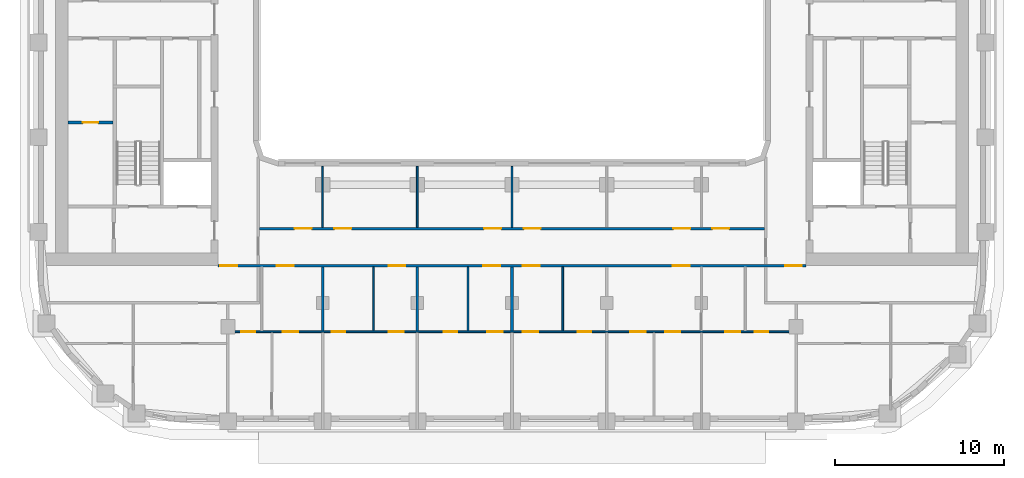
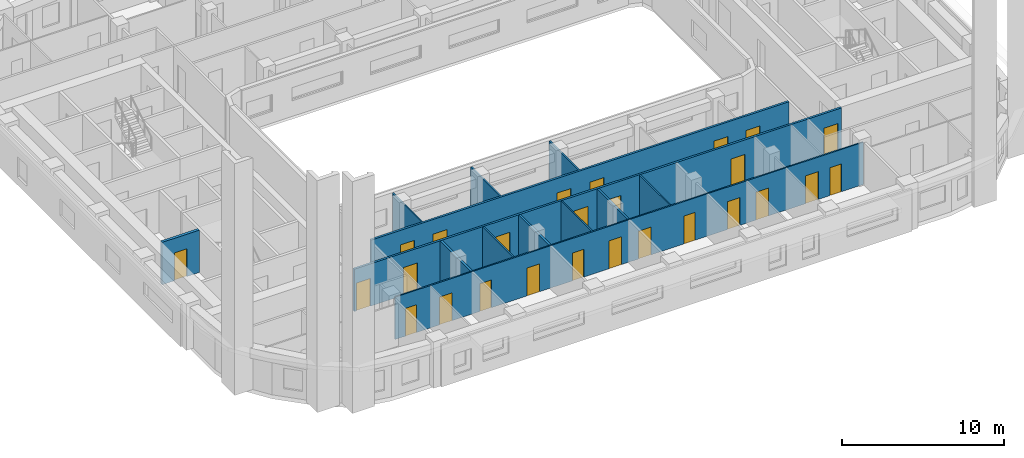
# One storey, part 3 of 22: 26 doors, 13 walls, 26 openings.
"""IFC4 building model written with IfcOpenShell, lengths in metres."""

from ifc_helpers import new_model, si_unit, direction, frame, frame_2d, origin, place, context, subcontext, project, spatial, rectangle, extrude, material, layer, layer_set, type_object, element, fill, save


model = new_model("IFC4")

# Units and contexts
model_context = context("Model", 3, precision=1e-05, world=origin(), true_north=direction((0.0, 1.0)))
body_context = subcontext(model_context, "Body", "Model", "MODEL_VIEW")
ifc_project = project(units=[si_unit("LENGTHUNIT", "METRE"), si_unit("AREAUNIT", "SQUARE_METRE"), si_unit("VOLUMEUNIT", "CUBIC_METRE"), si_unit("PLANEANGLEUNIT", "RADIAN"), si_unit("MASSUNIT", "GRAM", prefix="KILO")], contexts=[model_context])

# Site, building, storey
site_placement = place(None, origin())
site = spatial("IfcSite", under=ifc_project, at=site_placement, CompositionType="ELEMENT")
building_placement = place(site_placement, origin())
building = spatial("IfcBuilding", under=site, at=building_placement, Name="Kiln Ring Residences", CompositionType="ELEMENT")
storey_placement = place(building_placement, frame((0.0, 0.0, 160.60009765625)))
storey = spatial("IfcBuildingStorey", under=building, at=storey_placement, Name="L41", CompositionType="ELEMENT", Elevation=160.60009765625)

# Wall, opening, door
ifc_material_1 = material(Name="Gypsum board on steel studs", Category="steel")
ifc_layer_1 = layer(ifc_material_1, 0.199951171875)
ifc_layer_set_1 = layer_set([ifc_layer_1], Name="CORE-PARTITION-200")
wall_type_1 = type_object("IfcWallType", Name="CORE-PARTITION-200", PredefinedType="PARTITIONING", material=ifc_layer_set_1)
wall_1_placement = place(storey_placement, frame((-23.60009765625, -4.72509765625, 0.0), z_axis=(0.0, 0.0, 1.0), x_axis=(-1.0, 0.0, 0.0)))
wall_1 = element("IfcWall", 1, at=wall_1_placement, inside=storey, type_object=wall_type_1, Name="Core partition west L41 6", PredefinedType="PARTITIONING", context=body_context, shape_type="SweptSolid", body=[
    extrude(rectangle(XDim=2.64990234375, YDim=0.199951171875, at=frame_2d((1.324951171875, 0.0))), origin(), (0.0, 0.0, 1.0), 3.199951171875),
])
opening_1_placement = place(wall_1_placement, frame((0.875, 0.0, 0.0)))
opening_1 = element("IfcOpeningElement", 2, at=opening_1_placement, cuts=wall_1, Name="Opening L41-CW15", PredefinedType="OPENING", context=body_context, shape_type="SweptSolid", body=[
    extrude(rectangle(XDim=0.89990234375, YDim=2.10009765625, at=frame_2d((0.449951171875, 1.050048828125))), frame((0.0, 0.10986328125, 0.0), z_axis=(0.0, -1.0, 0.0), x_axis=(1.0, 0.0, 0.0)), (0.0, 0.0, 1.0), 0.219970703125),
])
ifc_material_2 = material(Name="Steel door leaf", Category="steel")
door_type_1 = type_object("IfcDoorType", Name="CORE-DOOR-ROOM", OperationType="SINGLE_SWING_LEFT", PredefinedType="DOOR", material=ifc_material_2)
door_1_placement = place(opening_1_placement, origin())
door_1 = element("IfcDoor", 3, at=door_1_placement, inside=storey, type_object=door_type_1, Name="Meter room L41-CW15", OperationType="SINGLE_SWING_RIGHT", OverallHeight=2.10009765625, OverallWidth=0.89990234375, PredefinedType="DOOR", context=body_context, shape_type="SweptSolid", body=[
    extrude(rectangle(XDim=0.89990234375, YDim=2.10009765625, at=frame_2d((0.449951171875, 1.050048828125))), frame((0.0, 0.02490234375, 0.0), z_axis=(0.0, -1.0, 0.0), x_axis=(1.0, 0.0, 0.0)), (0.0, 0.0, 1.0), 0.050048828125),
])
fill(opening_1, door_1)

# Wall, openings, doors
ifc_material_3 = material(Name="Gypsum board on steel studs", Category="steel")
ifc_layer_2 = layer(ifc_material_3, 0.10009765625)
ifc_layer_set_2 = layer_set([ifc_layer_2], Name="PARTITION-100")
wall_type_2 = type_object("IfcWallType", Name="PARTITION-100", PredefinedType="PARTITIONING", material=ifc_layer_set_2)
wall_2_placement = place(storey_placement, frame((-16.72509765625, -17.10009765625, 0.0), z_axis=(0.0, 0.0, 1.0), x_axis=(1.0, 0.0, 0.0)))
wall_2 = element("IfcWall", 4, at=wall_2_placement, inside=storey, type_object=wall_type_2, Name="Partition 002", PredefinedType="PARTITIONING", context=body_context, shape_type="SweptSolid", body=[
    extrude(rectangle(XDim=33.4501953125, YDim=0.10009765625, at=frame_2d((16.72509765625, 0.0))), origin(), (0.0, 0.0, 1.0), 3.199951171875),
])
opening_2_placement = place(wall_2_placement, frame((0.72509765625, 0.0, 0.0)))
opening_2 = element("IfcOpeningElement", 5, at=opening_2_placement, cuts=wall_2, Name="Opening L41-D048", PredefinedType="OPENING", context=body_context, shape_type="SweptSolid", body=[
    extrude(rectangle(XDim=0.800048828125, YDim=2.10009765625, at=frame_2d((0.39990234375, 1.050048828125))), frame((0.0, 0.06005859375, 0.0), z_axis=(0.0, -1.0, 0.0), x_axis=(1.0, 0.0, 0.0)), (0.0, 0.0, 1.0), 0.1201171875),
])
opening_3_placement = place(wall_2_placement, frame((3.175048828125, 0.0, 0.0)))
opening_3 = element("IfcOpeningElement", 6, at=opening_3_placement, cuts=wall_2, Name="Opening L41-D049", PredefinedType="OPENING", context=body_context, shape_type="SweptSolid", body=[
    extrude(rectangle(XDim=0.89990234375, YDim=2.10009765625, at=frame_2d((0.449951171875, 1.050048828125))), frame((0.0, 0.06005859375, 0.0), z_axis=(0.0, -1.0, 0.0), x_axis=(1.0, 0.0, 0.0)), (0.0, 0.0, 1.0), 0.1201171875),
])
opening_4_placement = place(wall_2_placement, frame((6.074951171875, 0.0, 0.0)))
opening_4 = element("IfcOpeningElement", 7, at=opening_4_placement, cuts=wall_2, Name="Opening L41-D052", PredefinedType="OPENING", context=body_context, shape_type="SweptSolid", body=[
    extrude(rectangle(XDim=0.800048828125, YDim=2.10009765625, at=frame_2d((0.39990234375, 1.050048828125))), frame((0.0, 0.06005859375, 0.0), z_axis=(0.0, -1.0, 0.0), x_axis=(1.0, 0.0, 0.0)), (0.0, 0.0, 1.0), 0.1201171875),
])
opening_5_placement = place(wall_2_placement, frame((9.425048828125, 0.0, 0.0)))
opening_5 = element("IfcOpeningElement", 8, at=opening_5_placement, cuts=wall_2, Name="Opening L41-D053", PredefinedType="OPENING", context=body_context, shape_type="SweptSolid", body=[
    extrude(rectangle(XDim=0.89990234375, YDim=2.10009765625, at=frame_2d((0.449951171875, 1.050048828125))), frame((0.0, 0.06005859375, 0.0), z_axis=(0.0, -1.0, 0.0), x_axis=(1.0, 0.0, 0.0)), (0.0, 0.0, 1.0), 0.1201171875),
])
opening_6_placement = place(wall_2_placement, frame((12.675048828125, 0.0, 0.0)))
opening_6 = element("IfcOpeningElement", 9, at=opening_6_placement, cuts=wall_2, Name="Opening L41-D055", PredefinedType="OPENING", context=body_context, shape_type="SweptSolid", body=[
    extrude(rectangle(XDim=0.800048828125, YDim=2.10009765625, at=frame_2d((0.39990234375, 1.050048828125))), frame((0.0, 0.06005859375, 0.0), z_axis=(0.0, -1.0, 0.0), x_axis=(1.0, 0.0, 0.0)), (0.0, 0.0, 1.0), 0.1201171875),
])
opening_7_placement = place(wall_2_placement, frame((15.27490234375, 0.0, 0.0)))
opening_7 = element("IfcOpeningElement", 10, at=opening_7_placement, cuts=wall_2, Name="Opening L41-D056", PredefinedType="OPENING", context=body_context, shape_type="SweptSolid", body=[
    extrude(rectangle(XDim=0.89990234375, YDim=2.10009765625, at=frame_2d((0.449951171875, 1.050048828125))), frame((0.0, 0.06005859375, 0.0), z_axis=(0.0, -1.0, 0.0), x_axis=(1.0, 0.0, 0.0)), (0.0, 0.0, 1.0), 0.1201171875),
])
opening_8_placement = place(wall_2_placement, frame((20.625, 0.0, 0.0)))
opening_8 = element("IfcOpeningElement", 11, at=opening_8_placement, cuts=wall_2, Name="Opening L41-D058", PredefinedType="OPENING", context=body_context, shape_type="SweptSolid", body=[
    extrude(rectangle(XDim=0.800048828125, YDim=2.10009765625, at=frame_2d((0.39990234375, 1.050048828125))), frame((0.0, 0.06005859375, 0.0), z_axis=(0.0, -1.0, 0.0), x_axis=(1.0, 0.0, 0.0)), (0.0, 0.0, 1.0), 0.1201171875),
])
opening_9_placement = place(wall_2_placement, frame((17.375, 0.0, 0.0)))
opening_9 = element("IfcOpeningElement", 12, at=opening_9_placement, cuts=wall_2, Name="Opening L41-D059", PredefinedType="OPENING", context=body_context, shape_type="SweptSolid", body=[
    extrude(rectangle(XDim=0.89990234375, YDim=2.10009765625, at=frame_2d((0.449951171875, 1.050048828125))), frame((0.0, 0.06005859375, 0.0), z_axis=(0.0, -1.0, 0.0), x_axis=(1.0, 0.0, 0.0)), (0.0, 0.0, 1.0), 0.1201171875),
])
opening_10_placement = place(wall_2_placement, frame((31.074951171875, 0.0, 0.0)))
opening_10 = element("IfcOpeningElement", 13, at=opening_10_placement, cuts=wall_2, Name="Opening L41-D062", PredefinedType="OPENING", context=body_context, shape_type="SweptSolid", body=[
    extrude(rectangle(XDim=0.800048828125, YDim=2.10009765625, at=frame_2d((0.39990234375, 1.050048828125))), frame((0.0, 0.06005859375, 0.0), z_axis=(0.0, -1.0, 0.0), x_axis=(1.0, 0.0, 0.0)), (0.0, 0.0, 1.0), 0.1201171875),
])
opening_11_placement = place(wall_2_placement, frame((29.324951171875, 0.0, 0.0)))
opening_11 = element("IfcOpeningElement", 14, at=opening_11_placement, cuts=wall_2, Name="Opening L41-D063", PredefinedType="OPENING", context=body_context, shape_type="SweptSolid", body=[
    extrude(rectangle(XDim=0.89990234375, YDim=2.10009765625, at=frame_2d((0.449951171875, 1.050048828125))), frame((0.0, 0.06005859375, 0.0), z_axis=(0.0, -1.0, 0.0), x_axis=(1.0, 0.0, 0.0)), (0.0, 0.0, 1.0), 0.1201171875),
])
opening_12_placement = place(wall_2_placement, frame((23.72509765625, 0.0, 0.0)))
opening_12 = element("IfcOpeningElement", 15, at=opening_12_placement, cuts=wall_2, Name="Opening L41-D064", PredefinedType="OPENING", context=body_context, shape_type="SweptSolid", body=[
    extrude(rectangle(XDim=0.89990234375, YDim=2.10009765625, at=frame_2d((0.449951171875, 1.050048828125))), frame((0.0, 0.06005859375, 0.0), z_axis=(0.0, -1.0, 0.0), x_axis=(1.0, 0.0, 0.0)), (0.0, 0.0, 1.0), 0.1201171875),
])
opening_13_placement = place(wall_2_placement, frame((25.77490234375, 0.0, 0.0)))
opening_13 = element("IfcOpeningElement", 16, at=opening_13_placement, cuts=wall_2, Name="Opening L41-D065", PredefinedType="OPENING", context=body_context, shape_type="SweptSolid", body=[
    extrude(rectangle(XDim=0.89990234375, YDim=2.10009765625, at=frame_2d((0.449951171875, 1.050048828125))), frame((0.0, 0.06005859375, 0.0), z_axis=(0.0, -1.0, 0.0), x_axis=(1.0, 0.0, 0.0)), (0.0, 0.0, 1.0), 0.1201171875),
])
ifc_material_4 = material(Name="Timber door leaf", Category="wood")
door_type_2 = type_object("IfcDoorType", Name="FLAT-DOOR-800-PL", OperationType="SINGLE_SWING_LEFT", PredefinedType="DOOR", material=ifc_material_4)
door_2_placement = place(opening_2_placement, origin())
door_2 = element("IfcDoor", 17, at=door_2_placement, inside=storey, type_object=door_type_2, Name="Door L41-D048", OperationType="SINGLE_SWING_LEFT", OverallHeight=2.10009765625, OverallWidth=0.800048828125, PredefinedType="DOOR", context=body_context, shape_type="SweptSolid", body=[
    extrude(rectangle(XDim=0.800048828125, YDim=2.10009765625, at=frame_2d((0.39990234375, 1.050048828125))), frame((0.0, 0.02490234375, 0.0), z_axis=(0.0, -1.0, 0.0), x_axis=(1.0, 0.0, 0.0)), (0.0, 0.0, 1.0), 0.050048828125),
])
fill(opening_2, door_2)
door_3_placement = place(opening_4_placement, origin())
door_3 = element("IfcDoor", 18, at=door_3_placement, inside=storey, type_object=door_type_2, Name="Door L41-D052", OperationType="SINGLE_SWING_RIGHT", OverallHeight=2.10009765625, OverallWidth=0.800048828125, PredefinedType="DOOR", context=body_context, shape_type="SweptSolid", body=[
    extrude(rectangle(XDim=0.800048828125, YDim=2.10009765625, at=frame_2d((0.39990234375, 1.050048828125))), frame((0.0, 0.02490234375, 0.0), z_axis=(0.0, -1.0, 0.0), x_axis=(1.0, 0.0, 0.0)), (0.0, 0.0, 1.0), 0.050048828125),
])
fill(opening_4, door_3)
door_4_placement = place(opening_6_placement, origin())
door_4 = element("IfcDoor", 19, at=door_4_placement, inside=storey, type_object=door_type_2, Name="Door L41-D055", OperationType="SINGLE_SWING_LEFT", OverallHeight=2.10009765625, OverallWidth=0.800048828125, PredefinedType="DOOR", context=body_context, shape_type="SweptSolid", body=[
    extrude(rectangle(XDim=0.800048828125, YDim=2.10009765625, at=frame_2d((0.39990234375, 1.050048828125))), frame((0.0, 0.02490234375, 0.0), z_axis=(0.0, -1.0, 0.0), x_axis=(1.0, 0.0, 0.0)), (0.0, 0.0, 1.0), 0.050048828125),
])
fill(opening_6, door_4)
door_5_placement = place(opening_8_placement, origin())
door_5 = element("IfcDoor", 20, at=door_5_placement, inside=storey, type_object=door_type_2, Name="Door L41-D058", OperationType="SINGLE_SWING_RIGHT", OverallHeight=2.10009765625, OverallWidth=0.800048828125, PredefinedType="DOOR", context=body_context, shape_type="SweptSolid", body=[
    extrude(rectangle(XDim=0.800048828125, YDim=2.10009765625, at=frame_2d((0.39990234375, 1.050048828125))), frame((0.0, 0.02490234375, 0.0), z_axis=(0.0, -1.0, 0.0), x_axis=(1.0, 0.0, 0.0)), (0.0, 0.0, 1.0), 0.050048828125),
])
fill(opening_8, door_5)
door_6_placement = place(opening_10_placement, origin())
door_6 = element("IfcDoor", 21, at=door_6_placement, inside=storey, type_object=door_type_2, Name="Door L41-D062", OperationType="SINGLE_SWING_RIGHT", OverallHeight=2.10009765625, OverallWidth=0.800048828125, PredefinedType="DOOR", context=body_context, shape_type="SweptSolid", body=[
    extrude(rectangle(XDim=0.800048828125, YDim=2.10009765625, at=frame_2d((0.39990234375, 1.050048828125))), frame((0.0, 0.02490234375, 0.0), z_axis=(0.0, -1.0, 0.0), x_axis=(1.0, 0.0, 0.0)), (0.0, 0.0, 1.0), 0.050048828125),
])
fill(opening_10, door_6)
ifc_material_5 = material(Name="Timber door leaf", Category="wood")
door_type_3 = type_object("IfcDoorType", Name="FLAT-DOOR-900-PL", OperationType="SINGLE_SWING_LEFT", PredefinedType="DOOR", material=ifc_material_5)
door_7_placement = place(opening_3_placement, origin())
door_7 = element("IfcDoor", 22, at=door_7_placement, inside=storey, type_object=door_type_3, Name="Door L41-D049", OperationType="SINGLE_SWING_LEFT", OverallHeight=2.10009765625, OverallWidth=0.89990234375, PredefinedType="DOOR", context=body_context, shape_type="SweptSolid", body=[
    extrude(rectangle(XDim=0.89990234375, YDim=2.10009765625, at=frame_2d((0.449951171875, 1.050048828125))), frame((0.0, 0.02490234375, 0.0), z_axis=(0.0, -1.0, 0.0), x_axis=(1.0, 0.0, 0.0)), (0.0, 0.0, 1.0), 0.050048828125),
])
fill(opening_3, door_7)
door_8_placement = place(opening_5_placement, origin())
door_8 = element("IfcDoor", 23, at=door_8_placement, inside=storey, type_object=door_type_3, Name="Door L41-D053", OperationType="SINGLE_SWING_LEFT", OverallHeight=2.10009765625, OverallWidth=0.89990234375, PredefinedType="DOOR", context=body_context, shape_type="SweptSolid", body=[
    extrude(rectangle(XDim=0.89990234375, YDim=2.10009765625, at=frame_2d((0.449951171875, 1.050048828125))), frame((0.0, 0.02490234375, 0.0), z_axis=(0.0, -1.0, 0.0), x_axis=(1.0, 0.0, 0.0)), (0.0, 0.0, 1.0), 0.050048828125),
])
fill(opening_5, door_8)
door_9_placement = place(opening_7_placement, origin())
door_9 = element("IfcDoor", 24, at=door_9_placement, inside=storey, type_object=door_type_3, Name="Door L41-D056", OperationType="SINGLE_SWING_RIGHT", OverallHeight=2.10009765625, OverallWidth=0.89990234375, PredefinedType="DOOR", context=body_context, shape_type="SweptSolid", body=[
    extrude(rectangle(XDim=0.89990234375, YDim=2.10009765625, at=frame_2d((0.449951171875, 1.050048828125))), frame((0.0, 0.02490234375, 0.0), z_axis=(0.0, -1.0, 0.0), x_axis=(1.0, 0.0, 0.0)), (0.0, 0.0, 1.0), 0.050048828125),
])
fill(opening_7, door_9)
door_10_placement = place(opening_9_placement, origin())
door_10 = element("IfcDoor", 25, at=door_10_placement, inside=storey, type_object=door_type_3, Name="Door L41-D059", OperationType="SINGLE_SWING_LEFT", OverallHeight=2.10009765625, OverallWidth=0.89990234375, PredefinedType="DOOR", context=body_context, shape_type="SweptSolid", body=[
    extrude(rectangle(XDim=0.89990234375, YDim=2.10009765625, at=frame_2d((0.449951171875, 1.050048828125))), frame((0.0, 0.02490234375, 0.0), z_axis=(0.0, -1.0, 0.0), x_axis=(1.0, 0.0, 0.0)), (0.0, 0.0, 1.0), 0.050048828125),
])
fill(opening_9, door_10)
door_11_placement = place(opening_11_placement, origin())
door_11 = element("IfcDoor", 26, at=door_11_placement, inside=storey, type_object=door_type_3, Name="Door L41-D063", OperationType="SINGLE_SWING_RIGHT", OverallHeight=2.10009765625, OverallWidth=0.89990234375, PredefinedType="DOOR", context=body_context, shape_type="SweptSolid", body=[
    extrude(rectangle(XDim=0.89990234375, YDim=2.10009765625, at=frame_2d((0.449951171875, 1.050048828125))), frame((0.0, 0.02490234375, 0.0), z_axis=(0.0, -1.0, 0.0), x_axis=(1.0, 0.0, 0.0)), (0.0, 0.0, 1.0), 0.050048828125),
])
fill(opening_11, door_11)
door_12_placement = place(opening_12_placement, origin())
door_12 = element("IfcDoor", 27, at=door_12_placement, inside=storey, type_object=door_type_3, Name="Door L41-D064", OperationType="SINGLE_SWING_RIGHT", OverallHeight=2.10009765625, OverallWidth=0.89990234375, PredefinedType="DOOR", context=body_context, shape_type="SweptSolid", body=[
    extrude(rectangle(XDim=0.89990234375, YDim=2.10009765625, at=frame_2d((0.449951171875, 1.050048828125))), frame((0.0, 0.02490234375, 0.0), z_axis=(0.0, -1.0, 0.0), x_axis=(1.0, 0.0, 0.0)), (0.0, 0.0, 1.0), 0.050048828125),
])
fill(opening_12, door_12)
door_13_placement = place(opening_13_placement, origin())
door_13 = element("IfcDoor", 28, at=door_13_placement, inside=storey, type_object=door_type_3, Name="Door L41-D065", OperationType="SINGLE_SWING_LEFT", OverallHeight=2.10009765625, OverallWidth=0.89990234375, PredefinedType="DOOR", context=body_context, shape_type="SweptSolid", body=[
    extrude(rectangle(XDim=0.89990234375, YDim=2.10009765625, at=frame_2d((0.449951171875, 1.050048828125))), frame((0.0, 0.02490234375, 0.0), z_axis=(0.0, -1.0, 0.0), x_axis=(1.0, 0.0, 0.0)), (0.0, 0.0, 1.0), 0.050048828125),
])
fill(opening_13, door_13)

# Walls
wall_3_placement = place(storey_placement, frame((-11.199951171875, -10.925048828125, 0.0), z_axis=(0.0, 0.0, 1.0), x_axis=(0.0, 1.0, 0.0)))
element("IfcWall", 29, at=wall_3_placement, inside=storey, type_object=wall_type_2, Name="Partition 026", PredefinedType="PARTITIONING", context=body_context, shape_type="SweptSolid", body=[
    extrude(rectangle(XDim=3.60498046875, YDim=0.10009765625, at=frame_2d((1.802490234375, 0.0))), origin(), (0.0, 0.0, 1.0), 3.199951171875),
])
wall_4_placement = place(storey_placement, frame((-8.199951171875, -17.050048828125, 0.0), z_axis=(0.0, 0.0, 1.0), x_axis=(0.0, 1.0, 0.0)))
element("IfcWall", 30, at=wall_4_placement, inside=storey, type_object=wall_type_2, Name="Partition 032", PredefinedType="PARTITIONING", context=body_context, shape_type="SweptSolid", body=[
    extrude(rectangle(XDim=3.775146484375, YDim=0.10009765625, at=frame_2d((1.8876953125, 0.0))), origin(), (0.0, 0.0, 1.0), 3.199951171875),
])
wall_5_placement = place(storey_placement, frame((-5.60009765625, -10.925048828125, 0.0), z_axis=(0.0, 0.0, 1.0), x_axis=(0.0, 1.0, 0.0)))
element("IfcWall", 31, at=wall_5_placement, inside=storey, type_object=wall_type_2, Name="Partition 033", PredefinedType="PARTITIONING", context=body_context, shape_type="SweptSolid", body=[
    extrude(rectangle(XDim=3.60498046875, YDim=0.10009765625, at=frame_2d((1.802490234375, 0.0))), origin(), (0.0, 0.0, 1.0), 3.199951171875),
])
wall_6_placement = place(storey_placement, frame((-2.60009765625, -17.050048828125, 0.0), z_axis=(0.0, 0.0, 1.0), x_axis=(0.0, 1.0, 0.0)))
element("IfcWall", 32, at=wall_6_placement, inside=storey, type_object=wall_type_2, Name="Partition 040", PredefinedType="PARTITIONING", context=body_context, shape_type="SweptSolid", body=[
    extrude(rectangle(XDim=3.775146484375, YDim=0.10009765625, at=frame_2d((1.8876953125, 0.0))), origin(), (0.0, 0.0, 1.0), 3.199951171875),
])
wall_7_placement = place(storey_placement, frame((0.0, -10.925048828125, 0.0), z_axis=(0.0, 0.0, 1.0), x_axis=(0.0, 1.0, 0.0)))
element("IfcWall", 33, at=wall_7_placement, inside=storey, type_object=wall_type_2, Name="Partition 041", PredefinedType="PARTITIONING", context=body_context, shape_type="SweptSolid", body=[
    extrude(rectangle(XDim=3.60498046875, YDim=0.10009765625, at=frame_2d((1.802490234375, 0.0))), origin(), (0.0, 0.0, 1.0), 3.199951171875),
])
wall_8_placement = place(storey_placement, frame((3.0, -17.050048828125, 0.0), z_axis=(0.0, 0.0, 1.0), x_axis=(0.0, 1.0, 0.0)))
element("IfcWall", 34, at=wall_8_placement, inside=storey, type_object=wall_type_2, Name="Partition 049", PredefinedType="PARTITIONING", context=body_context, shape_type="SweptSolid", body=[
    extrude(rectangle(XDim=3.775146484375, YDim=0.10009765625, at=frame_2d((1.8876953125, 0.0))), origin(), (0.0, 0.0, 1.0), 3.199951171875),
])

# Wall, openings, doors
ifc_material_6 = material(Name="Brick masonry partition", Category="masonry")
ifc_layer_3 = layer(ifc_material_6, 0.14990234375)
ifc_layer_set_3 = layer_set([ifc_layer_3], Name="PARTITION-150-ei60")
wall_type_3 = type_object("IfcWallType", Name="PARTITION-150-ei60", PredefinedType="PARTITIONING", material=ifc_layer_set_3)
wall_9_placement = place(storey_placement, frame((-17.39990234375, -13.199951171875, 0.0), z_axis=(0.0, 0.0, 1.0), x_axis=(1.0, 0.0, 0.0)))
wall_9 = element("IfcWall", 35, at=wall_9_placement, inside=storey, type_object=wall_type_3, Name="Partition 005", PredefinedType="PARTITIONING", context=body_context, shape_type="SweptSolid", body=[
    extrude(rectangle(XDim=34.7998046875, YDim=0.14990234375, at=frame_2d((17.39990234375, 0.0))), origin(), (0.0, 0.0, 1.0), 3.199951171875),
])
opening_14_placement = place(wall_9_placement, frame((0.14990234375, 0.0, 0.0)))
opening_14 = element("IfcOpeningElement", 36, at=opening_14_placement, cuts=wall_9, Name="Opening L41-D007", PredefinedType="OPENING", context=body_context, shape_type="SweptSolid", body=[
    extrude(rectangle(XDim=1.0, YDim=2.10009765625, at=frame_2d((0.5, 1.050048828125))), frame((0.0, 0.0849609375, 0.0), z_axis=(0.0, -1.0, 0.0), x_axis=(1.0, 0.0, 0.0)), (0.0, 0.0, 1.0), 0.169921875),
])
opening_15_placement = place(wall_9_placement, frame((33.550048828125, 0.0, 0.0)))
opening_15 = element("IfcOpeningElement", 37, at=opening_15_placement, cuts=wall_9, Name="Opening L41-D008", PredefinedType="OPENING", context=body_context, shape_type="SweptSolid", body=[
    extrude(rectangle(XDim=1.0, YDim=2.10009765625, at=frame_2d((0.5, 1.050048828125))), frame((0.0, 0.0849609375, 0.0), z_axis=(0.0, -1.0, 0.0), x_axis=(1.0, 0.0, 0.0)), (0.0, 0.0, 1.0), 0.169921875),
])
opening_16_placement = place(wall_9_placement, frame((3.5, 0.0, 0.0)))
opening_16 = element("IfcOpeningElement", 38, at=opening_16_placement, cuts=wall_9, Name="Opening L41-D047", PredefinedType="OPENING", context=body_context, shape_type="SweptSolid", body=[
    extrude(rectangle(XDim=1.0, YDim=2.10009765625, at=frame_2d((0.5, 1.050048828125))), frame((0.0, 0.0849609375, 0.0), z_axis=(0.0, -1.0, 0.0), x_axis=(1.0, 0.0, 0.0)), (0.0, 0.0, 1.0), 0.169921875),
])
opening_17_placement = place(wall_9_placement, frame((10.10009765625, 0.0, 0.0)))
opening_17 = element("IfcOpeningElement", 39, at=opening_17_placement, cuts=wall_9, Name="Opening L41-D051", PredefinedType="OPENING", context=body_context, shape_type="SweptSolid", body=[
    extrude(rectangle(XDim=1.0, YDim=2.10009765625, at=frame_2d((0.5, 1.050048828125))), frame((0.0, 0.0849609375, 0.0), z_axis=(0.0, -1.0, 0.0), x_axis=(1.0, 0.0, 0.0)), (0.0, 0.0, 1.0), 0.169921875),
])
opening_18_placement = place(wall_9_placement, frame((15.699951171875, 0.0, 0.0)))
opening_18 = element("IfcOpeningElement", 40, at=opening_18_placement, cuts=wall_9, Name="Opening L41-D054", PredefinedType="OPENING", context=body_context, shape_type="SweptSolid", body=[
    extrude(rectangle(XDim=1.0, YDim=2.10009765625, at=frame_2d((0.5, 1.050048828125))), frame((0.0, 0.0849609375, 0.0), z_axis=(0.0, -1.0, 0.0), x_axis=(1.0, 0.0, 0.0)), (0.0, 0.0, 1.0), 0.169921875),
])
opening_19_placement = place(wall_9_placement, frame((18.050048828125, 0.0, 0.0)))
opening_19 = element("IfcOpeningElement", 41, at=opening_19_placement, cuts=wall_9, Name="Opening L41-D057", PredefinedType="OPENING", context=body_context, shape_type="SweptSolid", body=[
    extrude(rectangle(XDim=1.0, YDim=2.10009765625, at=frame_2d((0.5, 1.050048828125))), frame((0.0, 0.0849609375, 0.0), z_axis=(0.0, -1.0, 0.0), x_axis=(1.0, 0.0, 0.0)), (0.0, 0.0, 1.0), 0.169921875),
])
opening_20_placement = place(wall_9_placement, frame((26.89990234375, 0.0, 0.0)))
opening_20 = element("IfcOpeningElement", 42, at=opening_20_placement, cuts=wall_9, Name="Opening L41-D060", PredefinedType="OPENING", context=body_context, shape_type="SweptSolid", body=[
    extrude(rectangle(XDim=1.0, YDim=2.10009765625, at=frame_2d((0.5, 1.050048828125))), frame((0.0, 0.0849609375, 0.0), z_axis=(0.0, -1.0, 0.0), x_axis=(1.0, 0.0, 0.0)), (0.0, 0.0, 1.0), 0.169921875),
])
ifc_material_7 = material(Name="Steel faced fire door leaf", Category="steel")
door_type_4 = type_object("IfcDoorType", Name="FLAT-DOOR-1000-FR", OperationType="SINGLE_SWING_LEFT", PredefinedType="DOOR", material=ifc_material_7)
door_14_placement = place(opening_14_placement, origin())
door_14 = element("IfcDoor", 43, at=door_14_placement, inside=storey, type_object=door_type_4, Name="Door L41-D007", OperationType="SINGLE_SWING_RIGHT", OverallHeight=2.10009765625, OverallWidth=1.0, PredefinedType="DOOR", context=body_context, shape_type="SweptSolid", body=[
    extrude(rectangle(XDim=1.0, YDim=2.10009765625, at=frame_2d((0.5, 1.050048828125))), frame((0.0, 0.02490234375, 0.0), z_axis=(0.0, -1.0, 0.0), x_axis=(1.0, 0.0, 0.0)), (0.0, 0.0, 1.0), 0.050048828125),
])
fill(opening_14, door_14)
door_15_placement = place(opening_15_placement, origin())
door_15 = element("IfcDoor", 44, at=door_15_placement, inside=storey, type_object=door_type_4, Name="Door L41-D008", OperationType="SINGLE_SWING_LEFT", OverallHeight=2.10009765625, OverallWidth=1.0, PredefinedType="DOOR", context=body_context, shape_type="SweptSolid", body=[
    extrude(rectangle(XDim=1.0, YDim=2.10009765625, at=frame_2d((0.5, 1.050048828125))), frame((0.0, 0.02490234375, 0.0), z_axis=(0.0, -1.0, 0.0), x_axis=(1.0, 0.0, 0.0)), (0.0, 0.0, 1.0), 0.050048828125),
])
fill(opening_15, door_15)
door_16_placement = place(opening_16_placement, origin())
door_16 = element("IfcDoor", 45, at=door_16_placement, inside=storey, type_object=door_type_4, Name="Door L41-D047", OperationType="SINGLE_SWING_LEFT", OverallHeight=2.10009765625, OverallWidth=1.0, PredefinedType="DOOR", context=body_context, shape_type="SweptSolid", body=[
    extrude(rectangle(XDim=1.0, YDim=2.10009765625, at=frame_2d((0.5, 1.050048828125))), frame((0.0, 0.02490234375, 0.0), z_axis=(0.0, -1.0, 0.0), x_axis=(1.0, 0.0, 0.0)), (0.0, 0.0, 1.0), 0.050048828125),
])
fill(opening_16, door_16)
door_17_placement = place(opening_17_placement, origin())
door_17 = element("IfcDoor", 46, at=door_17_placement, inside=storey, type_object=door_type_4, Name="Door L41-D051", OperationType="SINGLE_SWING_LEFT", OverallHeight=2.10009765625, OverallWidth=1.0, PredefinedType="DOOR", context=body_context, shape_type="SweptSolid", body=[
    extrude(rectangle(XDim=1.0, YDim=2.10009765625, at=frame_2d((0.5, 1.050048828125))), frame((0.0, 0.02490234375, 0.0), z_axis=(0.0, -1.0, 0.0), x_axis=(1.0, 0.0, 0.0)), (0.0, 0.0, 1.0), 0.050048828125),
])
fill(opening_17, door_17)
door_18_placement = place(opening_18_placement, origin())
door_18 = element("IfcDoor", 47, at=door_18_placement, inside=storey, type_object=door_type_4, Name="Door L41-D054", OperationType="SINGLE_SWING_RIGHT", OverallHeight=2.10009765625, OverallWidth=1.0, PredefinedType="DOOR", context=body_context, shape_type="SweptSolid", body=[
    extrude(rectangle(XDim=1.0, YDim=2.10009765625, at=frame_2d((0.5, 1.050048828125))), frame((0.0, 0.02490234375, 0.0), z_axis=(0.0, -1.0, 0.0), x_axis=(1.0, 0.0, 0.0)), (0.0, 0.0, 1.0), 0.050048828125),
])
fill(opening_18, door_18)
door_19_placement = place(opening_19_placement, origin())
door_19 = element("IfcDoor", 48, at=door_19_placement, inside=storey, type_object=door_type_4, Name="Door L41-D057", OperationType="SINGLE_SWING_LEFT", OverallHeight=2.10009765625, OverallWidth=1.0, PredefinedType="DOOR", context=body_context, shape_type="SweptSolid", body=[
    extrude(rectangle(XDim=1.0, YDim=2.10009765625, at=frame_2d((0.5, 1.050048828125))), frame((0.0, 0.02490234375, 0.0), z_axis=(0.0, -1.0, 0.0), x_axis=(1.0, 0.0, 0.0)), (0.0, 0.0, 1.0), 0.050048828125),
])
fill(opening_19, door_19)
door_20_placement = place(opening_20_placement, origin())
door_20 = element("IfcDoor", 49, at=door_20_placement, inside=storey, type_object=door_type_4, Name="Door L41-D060", OperationType="SINGLE_SWING_RIGHT", OverallHeight=2.10009765625, OverallWidth=1.0, PredefinedType="DOOR", context=body_context, shape_type="SweptSolid", body=[
    extrude(rectangle(XDim=1.0, YDim=2.10009765625, at=frame_2d((0.5, 1.050048828125))), frame((0.0, 0.02490234375, 0.0), z_axis=(0.0, -1.0, 0.0), x_axis=(1.0, 0.0, 0.0)), (0.0, 0.0, 1.0), 0.050048828125),
])
fill(opening_20, door_20)

wall_10_placement = place(storey_placement, frame((-14.925048828125, -11.0, 0.0), z_axis=(0.0, 0.0, 1.0), x_axis=(1.0, 0.0, 0.0)))
wall_10 = element("IfcWall", 50, at=wall_10_placement, inside=storey, type_object=wall_type_3, Name="Partition 006", PredefinedType="PARTITIONING", context=body_context, shape_type="SweptSolid", body=[
    extrude(rectangle(XDim=29.85009765625, YDim=0.14990234375, at=frame_2d((14.925048828125, 0.0))), origin(), (0.0, 0.0, 1.0), 3.199951171875),
])
opening_21_placement = place(wall_10_placement, frame((2.074951171875, 0.0, 0.0)))
opening_21 = element("IfcOpeningElement", 51, at=opening_21_placement, cuts=wall_10, Name="Opening L41-D041", PredefinedType="OPENING", context=body_context, shape_type="SweptSolid", body=[
    extrude(rectangle(XDim=1.0, YDim=2.10009765625, at=frame_2d((0.5, 1.050048828125))), frame((0.0, 0.0849609375, 0.0), z_axis=(0.0, -1.0, 0.0), x_axis=(1.0, 0.0, 0.0)), (0.0, 0.0, 1.0), 0.169921875),
])
opening_22_placement = place(wall_10_placement, frame((4.425048828125, 0.0, 0.0)))
opening_22 = element("IfcOpeningElement", 52, at=opening_22_placement, cuts=wall_10, Name="Opening L41-D042", PredefinedType="OPENING", context=body_context, shape_type="SweptSolid", body=[
    extrude(rectangle(XDim=1.0, YDim=2.10009765625, at=frame_2d((0.5, 1.050048828125))), frame((0.0, 0.0849609375, 0.0), z_axis=(0.0, -1.0, 0.0), x_axis=(1.0, 0.0, 0.0)), (0.0, 0.0, 1.0), 0.169921875),
])
opening_23_placement = place(wall_10_placement, frame((13.27490234375, 0.0, 0.0)))
opening_23 = element("IfcOpeningElement", 53, at=opening_23_placement, cuts=wall_10, Name="Opening L41-D043", PredefinedType="OPENING", context=body_context, shape_type="SweptSolid", body=[
    extrude(rectangle(XDim=1.0, YDim=2.10009765625, at=frame_2d((0.5, 1.050048828125))), frame((0.0, 0.0849609375, 0.0), z_axis=(0.0, -1.0, 0.0), x_axis=(1.0, 0.0, 0.0)), (0.0, 0.0, 1.0), 0.169921875),
])
opening_24_placement = place(wall_10_placement, frame((15.625, 0.0, 0.0)))
opening_24 = element("IfcOpeningElement", 54, at=opening_24_placement, cuts=wall_10, Name="Opening L41-D044", PredefinedType="OPENING", context=body_context, shape_type="SweptSolid", body=[
    extrude(rectangle(XDim=1.0, YDim=2.10009765625, at=frame_2d((0.5, 1.050048828125))), frame((0.0, 0.0849609375, 0.0), z_axis=(0.0, -1.0, 0.0), x_axis=(1.0, 0.0, 0.0)), (0.0, 0.0, 1.0), 0.169921875),
])
opening_25_placement = place(wall_10_placement, frame((24.47509765625, 0.0, 0.0)))
opening_25 = element("IfcOpeningElement", 55, at=opening_25_placement, cuts=wall_10, Name="Opening L41-D045", PredefinedType="OPENING", context=body_context, shape_type="SweptSolid", body=[
    extrude(rectangle(XDim=1.0, YDim=2.10009765625, at=frame_2d((0.5, 1.050048828125))), frame((0.0, 0.0849609375, 0.0), z_axis=(0.0, -1.0, 0.0), x_axis=(1.0, 0.0, 0.0)), (0.0, 0.0, 1.0), 0.169921875),
])
opening_26_placement = place(wall_10_placement, frame((26.77392578125, 0.0, 0.0)))
opening_26 = element("IfcOpeningElement", 56, at=opening_26_placement, cuts=wall_10, Name="Opening L41-D046", PredefinedType="OPENING", context=body_context, shape_type="SweptSolid", body=[
    extrude(rectangle(XDim=1.0, YDim=2.10009765625, at=frame_2d((0.5, 1.050048828125))), frame((0.0, 0.0849609375, 0.0), z_axis=(0.0, -1.0, 0.0), x_axis=(1.0, 0.0, 0.0)), (0.0, 0.0, 1.0), 0.169921875),
])
door_21_placement = place(opening_21_placement, origin())
door_21 = element("IfcDoor", 57, at=door_21_placement, inside=storey, type_object=door_type_4, Name="Door L41-D041", OperationType="SINGLE_SWING_LEFT", OverallHeight=2.10009765625, OverallWidth=1.0, PredefinedType="DOOR", context=body_context, shape_type="SweptSolid", body=[
    extrude(rectangle(XDim=1.0, YDim=2.10009765625, at=frame_2d((0.5, 1.050048828125))), frame((0.0, 0.02490234375, 0.0), z_axis=(0.0, -1.0, 0.0), x_axis=(1.0, 0.0, 0.0)), (0.0, 0.0, 1.0), 0.050048828125),
])
fill(opening_21, door_21)
door_22_placement = place(opening_22_placement, origin())
door_22 = element("IfcDoor", 58, at=door_22_placement, inside=storey, type_object=door_type_4, Name="Door L41-D042", OperationType="SINGLE_SWING_RIGHT", OverallHeight=2.10009765625, OverallWidth=1.0, PredefinedType="DOOR", context=body_context, shape_type="SweptSolid", body=[
    extrude(rectangle(XDim=1.0, YDim=2.10009765625, at=frame_2d((0.5, 1.050048828125))), frame((0.0, 0.02490234375, 0.0), z_axis=(0.0, -1.0, 0.0), x_axis=(1.0, 0.0, 0.0)), (0.0, 0.0, 1.0), 0.050048828125),
])
fill(opening_22, door_22)
door_23_placement = place(opening_23_placement, origin())
door_23 = element("IfcDoor", 59, at=door_23_placement, inside=storey, type_object=door_type_4, Name="Door L41-D043", OperationType="SINGLE_SWING_LEFT", OverallHeight=2.10009765625, OverallWidth=1.0, PredefinedType="DOOR", context=body_context, shape_type="SweptSolid", body=[
    extrude(rectangle(XDim=1.0, YDim=2.10009765625, at=frame_2d((0.5, 1.050048828125))), frame((0.0, 0.02490234375, 0.0), z_axis=(0.0, -1.0, 0.0), x_axis=(1.0, 0.0, 0.0)), (0.0, 0.0, 1.0), 0.050048828125),
])
fill(opening_23, door_23)
door_24_placement = place(opening_24_placement, origin())
door_24 = element("IfcDoor", 60, at=door_24_placement, inside=storey, type_object=door_type_4, Name="Door L41-D044", OperationType="SINGLE_SWING_RIGHT", OverallHeight=2.10009765625, OverallWidth=1.0, PredefinedType="DOOR", context=body_context, shape_type="SweptSolid", body=[
    extrude(rectangle(XDim=1.0, YDim=2.10009765625, at=frame_2d((0.5, 1.050048828125))), frame((0.0, 0.02490234375, 0.0), z_axis=(0.0, -1.0, 0.0), x_axis=(1.0, 0.0, 0.0)), (0.0, 0.0, 1.0), 0.050048828125),
])
fill(opening_24, door_24)
door_25_placement = place(opening_25_placement, origin())
door_25 = element("IfcDoor", 61, at=door_25_placement, inside=storey, type_object=door_type_4, Name="Door L41-D045", OperationType="SINGLE_SWING_LEFT", OverallHeight=2.10009765625, OverallWidth=1.0, PredefinedType="DOOR", context=body_context, shape_type="SweptSolid", body=[
    extrude(rectangle(XDim=1.0, YDim=2.10009765625, at=frame_2d((0.5, 1.050048828125))), frame((0.0, 0.02490234375, 0.0), z_axis=(0.0, -1.0, 0.0), x_axis=(1.0, 0.0, 0.0)), (0.0, 0.0, 1.0), 0.050048828125),
])
fill(opening_25, door_25)
door_26_placement = place(opening_26_placement, origin())
door_26 = element("IfcDoor", 62, at=door_26_placement, inside=storey, type_object=door_type_4, Name="Door L41-D046", OperationType="SINGLE_SWING_RIGHT", OverallHeight=2.10009765625, OverallWidth=1.0, PredefinedType="DOOR", context=body_context, shape_type="SweptSolid", body=[
    extrude(rectangle(XDim=1.0, YDim=2.10009765625, at=frame_2d((0.5, 1.050048828125))), frame((0.0, 0.02490234375, 0.0), z_axis=(0.0, -1.0, 0.0), x_axis=(1.0, 0.0, 0.0)), (0.0, 0.0, 1.0), 0.050048828125),
])
fill(opening_26, door_26)

# Walls
for number, where, z_axis, x_axis, name in (
    (63, (-11.199951171875, -17.050048828125, 0.0), (0.0, 0.0, 1.0), (0.0, 1.0, 0.0), "Partition 031"),
    (64, (-5.60009765625, -17.050048828125, 0.0), (0.0, 0.0, 1.0), (0.0, 1.0, 0.0), "Partition 038"),
    (65, (0.0, -17.050048828125, 0.0), (0.0, 0.0, 1.0), (0.0, 1.0, 0.0), "Partition 044"),
):
    element("IfcWall", number, at=place(storey_placement, frame(where, z_axis=z_axis, x_axis=x_axis)), inside=storey, type_object=wall_type_3, Name=name, PredefinedType="PARTITIONING", context=body_context, shape_type="SweptSolid", body=[
        extrude(rectangle(XDim=3.775146484375, YDim=0.14990234375, at=frame_2d((1.8876953125, 0.0))), origin(), (0.0, 0.0, 1.0), 3.199951171875),
    ])

save(model, "model.ifc")
